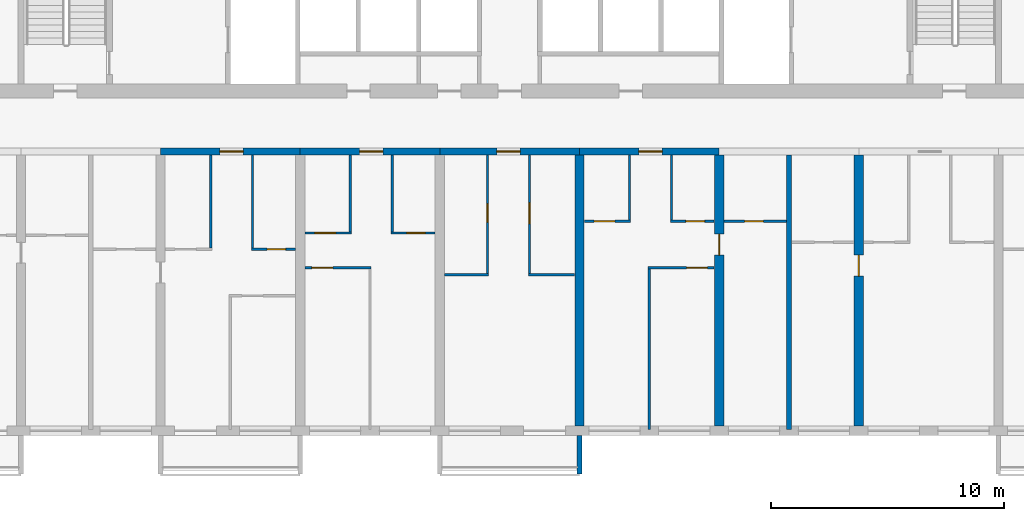
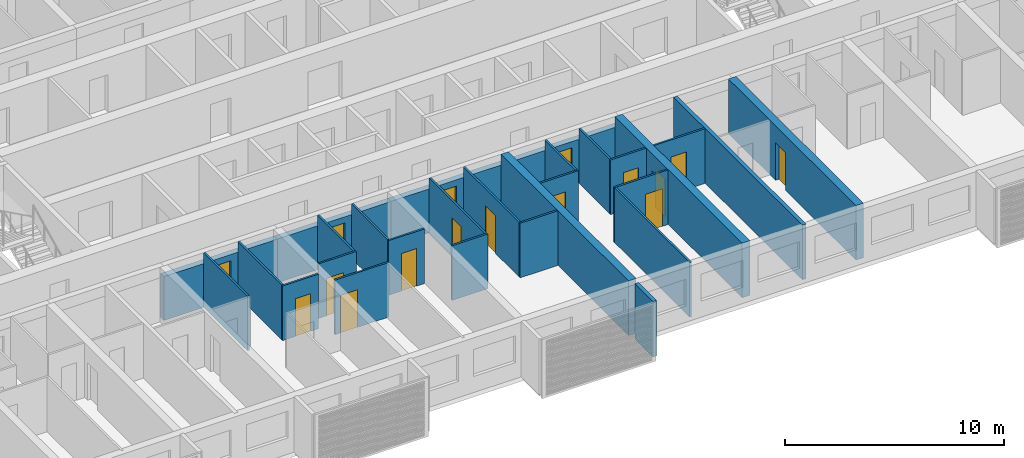
# One storey, part 5 of 39: 28 walls, 16 doors, 16 openings.
"""IFC4 building model written with IfcOpenShell, lengths in metres."""

from ifc_helpers import new_model, si_unit, direction, frame, frame_2d, origin, place, context, subcontext, project, spatial, polyline, rectangle, outline, extrude, source, transform, mapped, material, layer, layer_set, type_object, element, fill, save


model = new_model("IFC4")

# Units and contexts
model_context = context("Model", 3, precision=1e-05, world=origin(), true_north=direction((0.0, 1.0)))
body_context = subcontext(model_context, "Body", "Model", "MODEL_VIEW")
ifc_project = project(units=[si_unit("LENGTHUNIT", "METRE"), si_unit("AREAUNIT", "SQUARE_METRE"), si_unit("VOLUMEUNIT", "CUBIC_METRE"), si_unit("PLANEANGLEUNIT", "RADIAN"), si_unit("MASSUNIT", "GRAM", prefix="KILO")], contexts=[model_context])

# Site, building, storey
site_placement = place(None, origin())
site = spatial("IfcSite", under=ifc_project, at=site_placement, CompositionType="ELEMENT")
building_placement = place(site_placement, origin())
building = spatial("IfcBuilding", under=site, at=building_placement, Name="Poui Terraces", CompositionType="ELEMENT")
storey_placement = place(building_placement, frame((0.0, 0.0, 59.699951171875)))
storey = spatial("IfcBuildingStorey", under=building, at=storey_placement, Name="L16", CompositionType="ELEMENT", Elevation=59.699951171875)

# Wall, opening, door
ifc_material_1 = material(Name="Concrete 80 MPa", Category="concrete")
ifc_layer_1 = layer(ifc_material_1, 0.300048828125)
ifc_layer_set_1 = layer_set([ifc_layer_1], Name="Concrete 80 MPa")
wall_type_1 = type_object("IfcWallType", Name="CORRIDOR WALL 300 80MPa", PredefinedType="SHEAR", material=ifc_layer_set_1)
wall_1_placement = place(storey_placement, frame((36.0, 12.0, 0.0), z_axis=(0.0, 0.0, 1.0), x_axis=(1.0, 0.0, 0.0)))
wall_1 = element("IfcWall", 1, at=wall_1_placement, inside=storey, type_object=wall_type_1, Name="CORRIDOR WALL LINE B BAY 6", PredefinedType="SHEAR", context=body_context, shape_type="SweptSolid", body=[
    extrude(rectangle(XDim=6.0, YDim=0.300048828125, at=frame_2d((3.0, 0.0))), origin(), (0.0, 0.0, 1.0), 2.449951171875),
])
opening_1_placement = place(wall_1_placement, frame((2.550048828125, 0.0, 0.0)))
opening_1 = element("IfcOpeningElement", 2, at=opening_1_placement, cuts=wall_1, Name="Opening FD30S", PredefinedType="OPENING", context=body_context, shape_type="SweptSolid", body=[
    extrude(rectangle(XDim=1.0, YDim=2.10009765625, at=frame_2d((0.5, 1.050048828125))), frame((0.0, 0.16015625, 0.0), z_axis=(0.0, -1.0, 0.0), x_axis=(1.0, 0.0, 0.0)), (0.0, 0.0, 1.0), 0.320068359375),
])
ifc_material_2 = material(Name="Steel fire door", Category="steel")
door_type_1 = type_object("IfcDoorType", Name="FLAT ENTRANCE DOOR 1000 X 2100", OperationType="NOTDEFINED", PredefinedType="DOOR", material=ifc_material_2)
door_1_placement = place(opening_1_placement, frame((1.0, 0.0, 0.0), z_axis=(0.0, 0.0, 1.0), x_axis=(-1.0, 0.0, 0.0)))
door_1 = element("IfcDoor", 3, at=door_1_placement, inside=storey, type_object=door_type_1, Name="FLAT ENTRANCE DOOR 102", OperationType="SINGLE_SWING_LEFT", OverallHeight=2.10009765625, OverallWidth=1.0, PredefinedType="DOOR", context=body_context, shape_type="SweptSolid", body=[
    extrude(rectangle(XDim=1.0, YDim=2.10009765625, at=frame_2d((0.5, 1.050048828125))), frame((0.0, 0.02490234375, 0.0), z_axis=(0.0, -1.0, 0.0), x_axis=(1.0, 0.0, 0.0)), (0.0, 0.0, 1.0), 0.050048828125),
])
fill(opening_1, door_1)

wall_2_placement = place(storey_placement, frame((42.0, 12.0, 0.0), z_axis=(0.0, 0.0, 1.0), x_axis=(1.0, 0.0, 0.0)))
wall_2 = element("IfcWall", 4, at=wall_2_placement, inside=storey, type_object=wall_type_1, Name="CORRIDOR WALL LINE B BAY 7", PredefinedType="SHEAR", context=body_context, shape_type="SweptSolid", body=[
    extrude(rectangle(XDim=6.0, YDim=0.300048828125, at=frame_2d((3.0, 0.0))), origin(), (0.0, 0.0, 1.0), 2.449951171875),
])
opening_2_placement = place(wall_2_placement, frame((2.550048828125, 0.0, 0.0)))
opening_2 = element("IfcOpeningElement", 5, at=opening_2_placement, cuts=wall_2, Name="Opening FD30S", PredefinedType="OPENING", context=body_context, shape_type="SweptSolid", body=[
    extrude(rectangle(XDim=1.0, YDim=2.10009765625, at=frame_2d((0.5, 1.050048828125))), frame((0.0, 0.16015625, 0.0), z_axis=(0.0, -1.0, 0.0), x_axis=(1.0, 0.0, 0.0)), (0.0, 0.0, 1.0), 0.320068359375),
])
door_2_placement = place(opening_2_placement, frame((1.0, 0.0, 0.0), z_axis=(0.0, 0.0, 1.0), x_axis=(-1.0, 0.0, 0.0)))
door_2 = element("IfcDoor", 6, at=door_2_placement, inside=storey, type_object=door_type_1, Name="FLAT ENTRANCE DOOR 107", OperationType="SINGLE_SWING_LEFT", OverallHeight=2.10009765625, OverallWidth=1.0, PredefinedType="DOOR", context=body_context, shape_type="SweptSolid", body=[
    extrude(rectangle(XDim=1.0, YDim=2.10009765625, at=frame_2d((0.5, 1.050048828125))), frame((0.0, 0.02490234375, 0.0), z_axis=(0.0, -1.0, 0.0), x_axis=(1.0, 0.0, 0.0)), (0.0, 0.0, 1.0), 0.050048828125),
])
fill(opening_2, door_2)

wall_3_placement = place(storey_placement, frame((48.0, 12.0, 0.0), z_axis=(0.0, 0.0, 1.0), x_axis=(1.0, 0.0, 0.0)))
wall_3 = element("IfcWall", 7, at=wall_3_placement, inside=storey, type_object=wall_type_1, Name="CORRIDOR WALL LINE B BAY 8", PredefinedType="SHEAR", context=body_context, shape_type="SweptSolid", body=[
    extrude(rectangle(XDim=6.0, YDim=0.300048828125, at=frame_2d((3.0, 0.0))), origin(), (0.0, 0.0, 1.0), 2.449951171875),
])
opening_3_placement = place(wall_3_placement, frame((2.449951171875, 0.0, 0.0)))
opening_3 = element("IfcOpeningElement", 8, at=opening_3_placement, cuts=wall_3, Name="Opening FD30S", PredefinedType="OPENING", context=body_context, shape_type="SweptSolid", body=[
    extrude(rectangle(XDim=1.0, YDim=2.10009765625, at=frame_2d((0.5, 1.050048828125))), frame((0.0, 0.16015625, 0.0), z_axis=(0.0, -1.0, 0.0), x_axis=(1.0, 0.0, 0.0)), (0.0, 0.0, 1.0), 0.320068359375),
])
door_3_placement = place(opening_3_placement, frame((1.0, 0.0, 0.0), z_axis=(0.0, 0.0, 1.0), x_axis=(-1.0, 0.0, 0.0)))
door_3 = element("IfcDoor", 9, at=door_3_placement, inside=storey, type_object=door_type_1, Name="FLAT ENTRANCE DOOR 110", OperationType="SINGLE_SWING_RIGHT", OverallHeight=2.10009765625, OverallWidth=1.0, PredefinedType="DOOR", context=body_context, shape_type="SweptSolid", body=[
    extrude(rectangle(XDim=1.0, YDim=2.10009765625, at=frame_2d((0.5, 1.050048828125))), frame((0.0, 0.02490234375, 0.0), z_axis=(0.0, -1.0, 0.0), x_axis=(1.0, 0.0, 0.0)), (0.0, 0.0, 1.0), 0.050048828125),
])
fill(opening_3, door_3)

wall_4_placement = place(storey_placement, frame((54.0, 12.0, 0.0), z_axis=(0.0, 0.0, 1.0), x_axis=(1.0, 0.0, 0.0)))
wall_4 = element("IfcWall", 10, at=wall_4_placement, inside=storey, type_object=wall_type_1, Name="CORRIDOR WALL LINE B BAY 9", PredefinedType="SHEAR", context=body_context, shape_type="SweptSolid", body=[
    extrude(rectangle(XDim=6.0, YDim=0.300048828125, at=frame_2d((3.0, 0.0))), origin(), (0.0, 0.0, 1.0), 2.449951171875),
])
opening_4_placement = place(wall_4_placement, frame((2.550048828125, 0.0, 0.0)))
opening_4 = element("IfcOpeningElement", 11, at=opening_4_placement, cuts=wall_4, Name="Opening FD30S", PredefinedType="OPENING", context=body_context, shape_type="SweptSolid", body=[
    extrude(rectangle(XDim=1.0, YDim=2.10009765625, at=frame_2d((0.5, 1.050048828125))), frame((0.0, 0.16015625, 0.0), z_axis=(0.0, -1.0, 0.0), x_axis=(1.0, 0.0, 0.0)), (0.0, 0.0, 1.0), 0.320068359375),
])
door_4_placement = place(opening_4_placement, frame((1.0, 0.0, 0.0), z_axis=(0.0, 0.0, 1.0), x_axis=(-1.0, 0.0, 0.0)))
door_4 = element("IfcDoor", 12, at=door_4_placement, inside=storey, type_object=door_type_1, Name="FLAT ENTRANCE DOOR 114", OperationType="SINGLE_SWING_LEFT", OverallHeight=2.10009765625, OverallWidth=1.0, PredefinedType="DOOR", context=body_context, shape_type="SweptSolid", body=[
    extrude(rectangle(XDim=1.0, YDim=2.10009765625, at=frame_2d((0.5, 1.050048828125))), frame((0.0, 0.02490234375, 0.0), z_axis=(0.0, -1.0, 0.0), x_axis=(1.0, 0.0, 0.0)), (0.0, 0.0, 1.0), 0.050048828125),
])
fill(opening_4, door_4)

# Wall
ifc_layer_2 = layer(ifc_material_1, 0.39990234375)
ifc_layer_set_2 = layer_set([ifc_layer_2], Name="Concrete 80 MPa")
wall_type_2 = type_object("IfcWallType", Name="CROSS WALL 400 80MPa", PredefinedType="SHEAR", material=ifc_layer_set_2)
wall_5_placement = place(storey_placement, frame((54.0, 0.199951171875, 0.0), z_axis=(0.0, 0.0, 1.0), x_axis=(0.0, 1.0, 0.0)))
element("IfcWall", 13, at=wall_5_placement, inside=storey, type_object=wall_type_2, Name="CROSS WALL LINE 10 SOUTH", PredefinedType="SHEAR", context=body_context, shape_type="SweptSolid", body=[
    extrude(rectangle(XDim=11.650146484375, YDim=0.39990234375, at=frame_2d((5.8251953125, 0.0))), origin(), (0.0, 0.0, 1.0), 3.050048828125),
])

# Wall, opening, door
wall_6_placement = place(storey_placement, frame((60.0, 0.199951171875, 0.0), z_axis=(0.0, 0.0, 1.0), x_axis=(0.0, 1.0, 0.0)))
wall_6 = element("IfcWall", 14, at=wall_6_placement, inside=storey, type_object=wall_type_2, Name="CROSS WALL LINE 11 SOUTH", PredefinedType="SHEAR", context=body_context, shape_type="SweptSolid", body=[
    extrude(rectangle(XDim=11.650146484375, YDim=0.39990234375, at=frame_2d((5.8251953125, 0.0))), origin(), (0.0, 0.0, 1.0), 3.050048828125),
])
opening_5_placement = place(wall_6_placement, frame((7.35009765625, 0.0, 0.0)))
opening_5 = element("IfcOpeningElement", 15, at=opening_5_placement, cuts=wall_6, Name="Opening D90", PredefinedType="OPENING", context=body_context, shape_type="SweptSolid", body=[
    extrude(rectangle(XDim=0.89990234375, YDim=2.10009765625, at=frame_2d((0.449951171875, 1.050048828125))), frame((0.0, 0.2099609375, 0.0), z_axis=(0.0, -1.0, 0.0), x_axis=(1.0, 0.0, 0.0)), (0.0, 0.0, 1.0), 0.419921875),
])
ifc_material_3 = material(Name="Solid core timber door", Category="wood")
door_type_2 = type_object("IfcDoorType", Name="INTERNAL DOOR 900 X 2100", OperationType="NOTDEFINED", PredefinedType="DOOR", material=ifc_material_3)
door_5_placement = place(opening_5_placement, frame((0.89990234375, 0.0, 0.0), z_axis=(0.0, 0.0, 1.0), x_axis=(-1.0, 0.0, 0.0)))
door_5 = element("IfcDoor", 16, at=door_5_placement, inside=storey, type_object=door_type_2, Name="INTERNAL DOOR 117", OperationType="SINGLE_SWING_LEFT", OverallHeight=2.10009765625, OverallWidth=0.89990234375, PredefinedType="DOOR", context=body_context, shape_type="SweptSolid", body=[
    extrude(rectangle(XDim=0.89990234375, YDim=2.10009765625, at=frame_2d((0.449951171875, 1.050048828125))), frame((0.0, 0.02490234375, 0.0), z_axis=(0.0, -1.0, 0.0), x_axis=(1.0, 0.0, 0.0)), (0.0, 0.0, 1.0), 0.050048828125),
])
fill(opening_5, door_5)

wall_7_placement = place(storey_placement, frame((66.0, 0.199951171875, 0.0), z_axis=(0.0, 0.0, 1.0), x_axis=(0.0, 1.0, 0.0)))
wall_7 = element("IfcWall", 17, at=wall_7_placement, inside=storey, type_object=wall_type_2, Name="CROSS WALL LINE 12 SOUTH", PredefinedType="SHEAR", context=body_context, shape_type="SweptSolid", body=[
    extrude(rectangle(XDim=11.650146484375, YDim=0.39990234375, at=frame_2d((5.8251953125, 0.0))), origin(), (0.0, 0.0, 1.0), 3.050048828125),
])
opening_6_placement = place(wall_7_placement, frame((6.449951171875, 0.0, 0.0)))
opening_6 = element("IfcOpeningElement", 18, at=opening_6_placement, cuts=wall_7, Name="Opening D90", PredefinedType="OPENING", context=body_context, shape_type="SweptSolid", body=[
    extrude(rectangle(XDim=0.89990234375, YDim=2.10009765625, at=frame_2d((0.449951171875, 1.050048828125))), frame((0.0, 0.2099609375, 0.0), z_axis=(0.0, -1.0, 0.0), x_axis=(1.0, 0.0, 0.0)), (0.0, 0.0, 1.0), 0.419921875),
])
door_6_placement = place(opening_6_placement, origin())
door_6 = element("IfcDoor", 19, at=door_6_placement, inside=storey, type_object=door_type_2, Name="INTERNAL DOOR 119", OperationType="SINGLE_SWING_RIGHT", OverallHeight=2.10009765625, OverallWidth=0.89990234375, PredefinedType="DOOR", context=body_context, shape_type="SweptSolid", body=[
    extrude(rectangle(XDim=0.89990234375, YDim=2.10009765625, at=frame_2d((0.449951171875, 1.050048828125))), frame((0.0, 0.02490234375, 0.0), z_axis=(0.0, -1.0, 0.0), x_axis=(1.0, 0.0, 0.0)), (0.0, 0.0, 1.0), 0.050048828125),
])
fill(opening_6, door_6)

# Walls
ifc_material_4 = material(Name="Plasterboard partition")
ifc_layer_3 = layer(ifc_material_4, 0.10009765625)
ifc_layer_set_3 = layer_set([ifc_layer_3], Name="Plasterboard partition")
wall_type_3 = type_object("IfcWallType", Name="FLAT PARTITION 100", PredefinedType="PARTITIONING", material=ifc_layer_set_3)
wall_8_placement = place(storey_placement, frame((48.2099609375, 6.699951171875, 0.0), z_axis=(0.0, 0.0, 1.0), x_axis=(1.0, 0.0, 0.0)))
element("IfcWall", 20, at=wall_8_placement, inside=storey, type_object=wall_type_3, Name="FLAT PARTITION 100", PredefinedType="PARTITIONING", context=body_context, shape_type="SweptSolid", body=[
    extrude(rectangle(XDim=1.89013671875, YDim=0.10009765625, at=frame_2d((0.945068359375, 0.0))), origin(), (0.0, 0.0, 1.0), 3.050048828125),
])
wall_9_placement = place(storey_placement, frame((51.800048828125, 6.699951171875, 0.0), z_axis=(0.0, 0.0, 1.0), x_axis=(1.0, 0.0, 0.0)))
element("IfcWall", 21, at=wall_9_placement, inside=storey, type_object=wall_type_3, Name="FLAT PARTITION 100", PredefinedType="PARTITIONING", context=body_context, shape_type="SweptSolid", body=[
    extrude(rectangle(XDim=1.989990234375, YDim=0.10009765625, at=frame_2d((0.9951171875, 0.0))), origin(), (0.0, 0.0, 1.0), 3.050048828125),
])

# Wall, opening, door
wall_10_placement = place(storey_placement, frame((42.2099609375, 7.0, 0.0), z_axis=(0.0, 0.0, 1.0), x_axis=(1.0, 0.0, 0.0)))
wall_10 = element("IfcWall", 22, at=wall_10_placement, inside=storey, type_object=wall_type_3, Name="FLAT PARTITION 100", PredefinedType="PARTITIONING", context=body_context, shape_type="SweptSolid", body=[
    extrude(rectangle(XDim=2.840087890625, YDim=0.10009765625, at=frame_2d((1.419921875, 0.0))), origin(), (0.0, 0.0, 1.0), 3.050048828125),
])
opening_7_placement = place(wall_10_placement, frame((0.2900390625, 0.0, 0.0)))
opening_7 = element("IfcOpeningElement", 23, at=opening_7_placement, cuts=wall_10, Name="Opening D90", PredefinedType="OPENING", context=body_context, shape_type="SweptSolid", body=[
    extrude(rectangle(XDim=0.89990234375, YDim=2.10009765625, at=frame_2d((0.449951171875, 1.050048828125))), frame((0.0, 0.06005859375, 0.0), z_axis=(0.0, -1.0, 0.0), x_axis=(1.0, 0.0, 0.0)), (0.0, 0.0, 1.0), 0.1201171875),
])
door_7_placement = place(opening_7_placement, origin())
door_7 = element("IfcDoor", 24, at=door_7_placement, inside=storey, type_object=door_type_2, Name="INTERNAL DOOR 105", OperationType="SINGLE_SWING_RIGHT", OverallHeight=2.10009765625, OverallWidth=0.89990234375, PredefinedType="DOOR", context=body_context, shape_type="SweptSolid", body=[
    extrude(rectangle(XDim=0.89990234375, YDim=2.10009765625, at=frame_2d((0.449951171875, 1.050048828125))), frame((0.0, 0.02490234375, 0.0), z_axis=(0.0, -1.0, 0.0), x_axis=(1.0, 0.0, 0.0)), (0.0, 0.0, 1.0), 0.050048828125),
])
fill(opening_7, door_7)

wall_11_placement = place(storey_placement, frame((56.949951171875, 7.0, 0.0), z_axis=(0.0, 0.0, 1.0), x_axis=(1.0, 0.0, 0.0)))
wall_11 = element("IfcWall", 25, at=wall_11_placement, inside=storey, type_object=wall_type_3, Name="FLAT PARTITION 100", PredefinedType="PARTITIONING", context=body_context, shape_type="SweptSolid", body=[
    extrude(rectangle(XDim=2.840087890625, YDim=0.10009765625, at=frame_2d((1.419921875, 0.0))), origin(), (0.0, 0.0, 1.0), 3.050048828125),
])
opening_8_placement = place(wall_11_placement, frame((1.64990234375, 0.0, 0.0)))
opening_8 = element("IfcOpeningElement", 26, at=opening_8_placement, cuts=wall_11, Name="Opening D90", PredefinedType="OPENING", context=body_context, shape_type="SweptSolid", body=[
    extrude(rectangle(XDim=0.89990234375, YDim=2.10009765625, at=frame_2d((0.449951171875, 1.050048828125))), frame((0.0, 0.06005859375, 0.0), z_axis=(0.0, -1.0, 0.0), x_axis=(1.0, 0.0, 0.0)), (0.0, 0.0, 1.0), 0.1201171875),
])
door_8_placement = place(opening_8_placement, origin())
door_8 = element("IfcDoor", 27, at=door_8_placement, inside=storey, type_object=door_type_2, Name="INTERNAL DOOR 116", OperationType="SINGLE_SWING_LEFT", OverallHeight=2.10009765625, OverallWidth=0.89990234375, PredefinedType="DOOR", context=body_context, shape_type="SweptSolid", body=[
    extrude(rectangle(XDim=0.89990234375, YDim=2.10009765625, at=frame_2d((0.449951171875, 1.050048828125))), frame((0.0, 0.02490234375, 0.0), z_axis=(0.0, -1.0, 0.0), x_axis=(1.0, 0.0, 0.0)), (0.0, 0.0, 1.0), 0.050048828125),
])
fill(opening_8, door_8)

wall_12_placement = place(storey_placement, frame((39.89990234375, 7.800048828125, 0.0), z_axis=(0.0, 0.0, 1.0), x_axis=(1.0, 0.0, 0.0)))
wall_12 = element("IfcWall", 28, at=wall_12_placement, inside=storey, type_object=wall_type_3, Name="FLAT PARTITION 100", PredefinedType="PARTITIONING", context=body_context, shape_type="SweptSolid", body=[
    extrude(rectangle(XDim=1.89013671875, YDim=0.10009765625, at=frame_2d((0.945068359375, 0.0))), origin(), (0.0, 0.0, 1.0), 3.050048828125),
])
opening_9_placement = place(wall_12_placement, frame((0.675048828125, 0.0, 0.0)))
opening_9 = element("IfcOpeningElement", 29, at=opening_9_placement, cuts=wall_12, Name="Opening D80", PredefinedType="OPENING", context=body_context, shape_type="SweptSolid", body=[
    extrude(rectangle(XDim=0.800048828125, YDim=2.10009765625, at=frame_2d((0.39990234375, 1.050048828125))), frame((0.0, 0.06005859375, 0.0), z_axis=(0.0, -1.0, 0.0), x_axis=(1.0, 0.0, 0.0)), (0.0, 0.0, 1.0), 0.1201171875),
])
door_type_3 = type_object("IfcDoorType", Name="BATHROOM, LAUNDRY AND STORE DOOR 800 X 2100", OperationType="NOTDEFINED", PredefinedType="DOOR", material=ifc_material_3)
door_9_placement = place(opening_9_placement, origin())
door_9 = element("IfcDoor", 30, at=door_9_placement, inside=storey, type_object=door_type_3, Name="BATHROOM, LAUNDRY AND STORE DOOR 104", OperationType="SINGLE_SWING_LEFT", OverallHeight=2.10009765625, OverallWidth=0.800048828125, PredefinedType="DOOR", context=body_context, shape_type="SweptSolid", body=[
    extrude(rectangle(XDim=0.800048828125, YDim=2.10009765625, at=frame_2d((0.39990234375, 1.050048828125))), frame((0.0, 0.02490234375, 0.0), z_axis=(0.0, -1.0, 0.0), x_axis=(1.0, 0.0, 0.0)), (0.0, 0.0, 1.0), 0.050048828125),
])
fill(opening_9, door_9)

wall_13_placement = place(storey_placement, frame((42.2099609375, 8.5, 0.0), z_axis=(0.0, 0.0, 1.0), x_axis=(1.0, 0.0, 0.0)))
wall_13 = element("IfcWall", 31, at=wall_13_placement, inside=storey, type_object=wall_type_3, Name="FLAT PARTITION 100", PredefinedType="PARTITIONING", context=body_context, shape_type="SweptSolid", body=[
    extrude(rectangle(XDim=1.989990234375, YDim=0.10009765625, at=frame_2d((0.9951171875, 0.0))), origin(), (0.0, 0.0, 1.0), 3.050048828125),
])
opening_10_placement = place(wall_13_placement, frame((0.4150390625, 0.0, 0.0)))
opening_10 = element("IfcOpeningElement", 32, at=opening_10_placement, cuts=wall_13, Name="Opening D90", PredefinedType="OPENING", context=body_context, shape_type="SweptSolid", body=[
    extrude(rectangle(XDim=0.89990234375, YDim=2.10009765625, at=frame_2d((0.449951171875, 1.050048828125))), frame((0.0, 0.06005859375, 0.0), z_axis=(0.0, -1.0, 0.0), x_axis=(1.0, 0.0, 0.0)), (0.0, 0.0, 1.0), 0.1201171875),
])
door_10_placement = place(opening_10_placement, origin())
door_10 = element("IfcDoor", 33, at=door_10_placement, inside=storey, type_object=door_type_2, Name="INTERNAL DOOR 106", OperationType="SINGLE_SWING_LEFT", OverallHeight=2.10009765625, OverallWidth=0.89990234375, PredefinedType="DOOR", context=body_context, shape_type="SweptSolid", body=[
    extrude(rectangle(XDim=0.89990234375, YDim=2.10009765625, at=frame_2d((0.449951171875, 1.050048828125))), frame((0.0, 0.02490234375, 0.0), z_axis=(0.0, -1.0, 0.0), x_axis=(1.0, 0.0, 0.0)), (0.0, 0.0, 1.0), 0.050048828125),
])
fill(opening_10, door_10)

wall_14_placement = place(storey_placement, frame((45.89990234375, 8.5, 0.0), z_axis=(0.0, 0.0, 1.0), x_axis=(1.0, 0.0, 0.0)))
wall_14 = element("IfcWall", 34, at=wall_14_placement, inside=storey, type_object=wall_type_3, Name="FLAT PARTITION 100", PredefinedType="PARTITIONING", context=body_context, shape_type="SweptSolid", body=[
    extrude(rectangle(XDim=1.89013671875, YDim=0.10009765625, at=frame_2d((0.945068359375, 0.0))), origin(), (0.0, 0.0, 1.0), 3.050048828125),
])
opening_11_placement = place(wall_14_placement, frame((0.675048828125, 0.0, 0.0)))
opening_11 = element("IfcOpeningElement", 35, at=opening_11_placement, cuts=wall_14, Name="Opening D80", PredefinedType="OPENING", context=body_context, shape_type="SweptSolid", body=[
    extrude(rectangle(XDim=0.800048828125, YDim=2.10009765625, at=frame_2d((0.39990234375, 1.050048828125))), frame((0.0, 0.06005859375, 0.0), z_axis=(0.0, -1.0, 0.0), x_axis=(1.0, 0.0, 0.0)), (0.0, 0.0, 1.0), 0.1201171875),
])
door_11_placement = place(opening_11_placement, origin())
door_11 = element("IfcDoor", 36, at=door_11_placement, inside=storey, type_object=door_type_3, Name="BATHROOM, LAUNDRY AND STORE DOOR 108", OperationType="SINGLE_SWING_RIGHT", OverallHeight=2.10009765625, OverallWidth=0.800048828125, PredefinedType="DOOR", context=body_context, shape_type="SweptSolid", body=[
    extrude(rectangle(XDim=0.800048828125, YDim=2.10009765625, at=frame_2d((0.39990234375, 1.050048828125))), frame((0.0, 0.02490234375, 0.0), z_axis=(0.0, -1.0, 0.0), x_axis=(1.0, 0.0, 0.0)), (0.0, 0.0, 1.0), 0.050048828125),
])
fill(opening_11, door_11)

wall_15_placement = place(storey_placement, frame((54.2099609375, 9.0, 0.0), z_axis=(0.0, 0.0, 1.0), x_axis=(1.0, 0.0, 0.0)))
wall_15 = element("IfcWall", 37, at=wall_15_placement, inside=storey, type_object=wall_type_3, Name="FLAT PARTITION 100", PredefinedType="PARTITIONING", context=body_context, shape_type="SweptSolid", body=[
    extrude(rectangle(XDim=1.989990234375, YDim=0.10009765625, at=frame_2d((0.9951171875, 0.0))), origin(), (0.0, 0.0, 1.0), 3.050048828125),
])
opening_12_placement = place(wall_15_placement, frame((0.4150390625, 0.0, 0.0)))
opening_12 = element("IfcOpeningElement", 38, at=opening_12_placement, cuts=wall_15, Name="Opening D90", PredefinedType="OPENING", context=body_context, shape_type="SweptSolid", body=[
    extrude(rectangle(XDim=0.89990234375, YDim=2.10009765625, at=frame_2d((0.449951171875, 1.050048828125))), frame((0.0, 0.06005859375, 0.0), z_axis=(0.0, -1.0, 0.0), x_axis=(1.0, 0.0, 0.0)), (0.0, 0.0, 1.0), 0.1201171875),
])
door_12_placement = place(opening_12_placement, origin())
door_12 = element("IfcDoor", 39, at=door_12_placement, inside=storey, type_object=door_type_2, Name="INTERNAL DOOR 113", OperationType="SINGLE_SWING_LEFT", OverallHeight=2.10009765625, OverallWidth=0.89990234375, PredefinedType="DOOR", context=body_context, shape_type="SweptSolid", body=[
    extrude(rectangle(XDim=0.89990234375, YDim=2.10009765625, at=frame_2d((0.449951171875, 1.050048828125))), frame((0.0, 0.02490234375, 0.0), z_axis=(0.0, -1.0, 0.0), x_axis=(1.0, 0.0, 0.0)), (0.0, 0.0, 1.0), 0.050048828125),
])
fill(opening_12, door_12)

wall_16_placement = place(storey_placement, frame((57.89990234375, 9.0, 0.0), z_axis=(0.0, 0.0, 1.0), x_axis=(1.0, 0.0, 0.0)))
wall_16 = element("IfcWall", 40, at=wall_16_placement, inside=storey, type_object=wall_type_3, Name="FLAT PARTITION 100", PredefinedType="PARTITIONING", context=body_context, shape_type="SweptSolid", body=[
    extrude(rectangle(XDim=1.89013671875, YDim=0.10009765625, at=frame_2d((0.945068359375, 0.0))), origin(), (0.0, 0.0, 1.0), 3.050048828125),
])
opening_13_placement = place(wall_16_placement, frame((0.675048828125, 0.0, 0.0)))
opening_13 = element("IfcOpeningElement", 41, at=opening_13_placement, cuts=wall_16, Name="Opening D80", PredefinedType="OPENING", context=body_context, shape_type="SweptSolid", body=[
    extrude(rectangle(XDim=0.800048828125, YDim=2.10009765625, at=frame_2d((0.39990234375, 1.050048828125))), frame((0.0, 0.06005859375, 0.0), z_axis=(0.0, -1.0, 0.0), x_axis=(1.0, 0.0, 0.0)), (0.0, 0.0, 1.0), 0.1201171875),
])
door_13_placement = place(opening_13_placement, origin())
door_13 = element("IfcDoor", 42, at=door_13_placement, inside=storey, type_object=door_type_3, Name="BATHROOM, LAUNDRY AND STORE DOOR 115", OperationType="SINGLE_SWING_RIGHT", OverallHeight=2.10009765625, OverallWidth=0.800048828125, PredefinedType="DOOR", context=body_context, shape_type="SweptSolid", body=[
    extrude(rectangle(XDim=0.800048828125, YDim=2.10009765625, at=frame_2d((0.39990234375, 1.050048828125))), frame((0.0, 0.02490234375, 0.0), z_axis=(0.0, -1.0, 0.0), x_axis=(1.0, 0.0, 0.0)), (0.0, 0.0, 1.0), 0.050048828125),
])
fill(opening_13, door_13)

wall_17_placement = place(storey_placement, frame((60.2099609375, 9.0, 0.0), z_axis=(0.0, 0.0, 1.0), x_axis=(1.0, 0.0, 0.0)))
wall_17 = element("IfcWall", 43, at=wall_17_placement, inside=storey, type_object=wall_type_3, Name="FLAT PARTITION 100", PredefinedType="PARTITIONING", context=body_context, shape_type="SweptSolid", body=[
    extrude(rectangle(XDim=2.68994140625, YDim=0.10009765625, at=frame_2d((1.344970703125, 0.0))), origin(), (0.0, 0.0, 1.0), 3.050048828125),
])
opening_14_placement = place(wall_17_placement, frame((0.889892578125, 0.0, 0.0)))
opening_14 = element("IfcOpeningElement", 44, at=opening_14_placement, cuts=wall_17, Name="Opening D80", PredefinedType="OPENING", context=body_context, shape_type="SweptSolid", body=[
    extrude(rectangle(XDim=0.800048828125, YDim=2.10009765625, at=frame_2d((0.39990234375, 1.050048828125))), frame((0.0, 0.06005859375, 0.0), z_axis=(0.0, -1.0, 0.0), x_axis=(1.0, 0.0, 0.0)), (0.0, 0.0, 1.0), 0.1201171875),
])
door_14_placement = place(opening_14_placement, origin())
door_14 = element("IfcDoor", 45, at=door_14_placement, inside=storey, type_object=door_type_3, Name="BATHROOM, LAUNDRY AND STORE DOOR 112", OperationType="SINGLE_SWING_LEFT", OverallHeight=2.10009765625, OverallWidth=0.800048828125, PredefinedType="DOOR", context=body_context, shape_type="SweptSolid", body=[
    extrude(rectangle(XDim=0.800048828125, YDim=2.10009765625, at=frame_2d((0.39990234375, 1.050048828125))), frame((0.0, 0.02490234375, 0.0), z_axis=(0.0, -1.0, 0.0), x_axis=(1.0, 0.0, 0.0)), (0.0, 0.0, 1.0), 0.050048828125),
])
fill(opening_14, door_14)

# Walls
for number, where, z_axis, x_axis, name in (
    (46, (38.14990234375, 7.85009765625, 0.0), (0.0, 0.0, 1.0), (0.0, 1.0, 0.0), "FLAT PARTITION 100"),
    (47, (39.949951171875, 7.85009765625, 0.0), (0.0, 0.0, 1.0), (0.0, 1.0, 0.0), "FLAT PARTITION 100"),
):
    element("IfcWall", number, at=place(storey_placement, frame(where, z_axis=z_axis, x_axis=x_axis)), inside=storey, type_object=wall_type_3, Name=name, PredefinedType="PARTITIONING", context=body_context, shape_type="SweptSolid", body=[
        extrude(rectangle(XDim=3.989990234375, YDim=0.10009765625, at=frame_2d((1.9951171875, 0.0))), origin(), (0.0, 0.0, 1.0), 3.050048828125),
    ])
for number, where, z_axis, x_axis, name in (
    (48, (44.14990234375, 8.550048828125, 0.0), (0.0, 0.0, 1.0), (0.0, 1.0, 0.0), "FLAT PARTITION 100"),
    (49, (45.949951171875, 8.550048828125, 0.0), (0.0, 0.0, 1.0), (0.0, 1.0, 0.0), "FLAT PARTITION 100"),
):
    element("IfcWall", number, at=place(storey_placement, frame(where, z_axis=z_axis, x_axis=x_axis)), inside=storey, type_object=wall_type_3, Name=name, PredefinedType="PARTITIONING", context=body_context, shape_type="SweptSolid", body=[
        extrude(rectangle(XDim=3.2900390625, YDim=0.10009765625, at=frame_2d((1.64501953125, 0.0))), origin(), (0.0, 0.0, 1.0), 3.050048828125),
    ])

# Wall, opening, door
wall_18_placement = place(storey_placement, frame((50.050048828125, 6.75, 0.0), z_axis=(0.0, 0.0, 1.0), x_axis=(0.0, 1.0, 0.0)))
wall_18 = element("IfcWall", 50, at=wall_18_placement, inside=storey, type_object=wall_type_3, Name="FLAT PARTITION 100", PredefinedType="PARTITIONING", context=body_context, shape_type="SweptSolid", body=[
    extrude(rectangle(XDim=5.090087890625, YDim=0.10009765625, at=frame_2d((2.544921875, 0.0))), origin(), (0.0, 0.0, 1.0), 3.050048828125),
])
opening_15_placement = place(wall_18_placement, frame((2.199951171875, 0.0, 0.0)))
opening_15 = element("IfcOpeningElement", 51, at=opening_15_placement, cuts=wall_18, Name="Opening D80", PredefinedType="OPENING", context=body_context, shape_type="SweptSolid", body=[
    extrude(rectangle(XDim=0.800048828125, YDim=2.10009765625, at=frame_2d((0.39990234375, 1.050048828125))), frame((0.0, 0.06005859375, 0.0), z_axis=(0.0, -1.0, 0.0), x_axis=(1.0, 0.0, 0.0)), (0.0, 0.0, 1.0), 0.1201171875),
])
door_15_placement = place(opening_15_placement, origin())
door_15 = element("IfcDoor", 52, at=door_15_placement, inside=storey, type_object=door_type_3, Name="BATHROOM, LAUNDRY AND STORE DOOR 109", OperationType="SINGLE_SWING_LEFT", OverallHeight=2.10009765625, OverallWidth=0.800048828125, PredefinedType="DOOR", context=body_context, shape_type="SweptSolid", body=[
    extrude(rectangle(XDim=0.800048828125, YDim=2.10009765625, at=frame_2d((0.39990234375, 1.050048828125))), frame((0.0, 0.02490234375, 0.0), z_axis=(0.0, -1.0, 0.0), x_axis=(1.0, 0.0, 0.0)), (0.0, 0.0, 1.0), 0.050048828125),
])
fill(opening_15, door_15)

wall_19_placement = place(storey_placement, frame((51.85009765625, 6.75, 0.0), z_axis=(0.0, 0.0, 1.0), x_axis=(0.0, 1.0, 0.0)))
wall_19 = element("IfcWall", 53, at=wall_19_placement, inside=storey, type_object=wall_type_3, Name="FLAT PARTITION 100", PredefinedType="PARTITIONING", context=body_context, shape_type="SweptSolid", body=[
    extrude(rectangle(XDim=5.090087890625, YDim=0.10009765625, at=frame_2d((2.544921875, 0.0))), origin(), (0.0, 0.0, 1.0), 3.050048828125),
])
opening_16_placement = place(wall_19_placement, frame((2.14990234375, 0.0, 0.0)))
opening_16 = element("IfcOpeningElement", 54, at=opening_16_placement, cuts=wall_19, Name="Opening D90", PredefinedType="OPENING", context=body_context, shape_type="SweptSolid", body=[
    extrude(rectangle(XDim=0.89990234375, YDim=2.10009765625, at=frame_2d((0.449951171875, 1.050048828125))), frame((0.0, 0.06005859375, 0.0), z_axis=(0.0, -1.0, 0.0), x_axis=(1.0, 0.0, 0.0)), (0.0, 0.0, 1.0), 0.1201171875),
])
door_16_placement = place(opening_16_placement, frame((0.89990234375, 0.0, 0.0), z_axis=(0.0, 0.0, 1.0), x_axis=(-1.0, 0.0, 0.0)))
door_16 = element("IfcDoor", 55, at=door_16_placement, inside=storey, type_object=door_type_2, Name="INTERNAL DOOR 111", OperationType="SINGLE_SWING_LEFT", OverallHeight=2.10009765625, OverallWidth=0.89990234375, PredefinedType="DOOR", context=body_context, shape_type="SweptSolid", body=[
    extrude(rectangle(XDim=0.89990234375, YDim=2.10009765625, at=frame_2d((0.449951171875, 1.050048828125))), frame((0.0, 0.02490234375, 0.0), z_axis=(0.0, -1.0, 0.0), x_axis=(1.0, 0.0, 0.0)), (0.0, 0.0, 1.0), 0.050048828125),
])
fill(opening_16, door_16)

# Walls
wall_20_placement = place(storey_placement, frame((56.14990234375, 9.050048828125, 0.0), z_axis=(0.0, 0.0, 1.0), x_axis=(0.0, 1.0, 0.0)))
element("IfcWall", 56, at=wall_20_placement, inside=storey, type_object=wall_type_3, Name="FLAT PARTITION 100", PredefinedType="PARTITIONING", context=body_context, shape_type="SweptSolid", body=[
    extrude(rectangle(XDim=2.7900390625, YDim=0.10009765625, at=frame_2d((1.39501953125, 0.0))), origin(), (0.0, 0.0, 1.0), 3.050048828125),
])
wall_21_placement = place(storey_placement, frame((57.0, 0.06005859375, 0.0), z_axis=(0.0, 0.0, 1.0), x_axis=(0.0, 1.0, 0.0)))
element("IfcWall", 57, at=wall_21_placement, inside=storey, type_object=wall_type_3, Name="FLAT PARTITION 100", PredefinedType="PARTITIONING", context=body_context, shape_type="SweptSolid", body=[
    extrude(rectangle(XDim=6.889892578125, YDim=0.10009765625, at=frame_2d((3.44482421875, 0.0))), origin(), (0.0, 0.0, 1.0), 3.050048828125),
])
wall_22_placement = place(storey_placement, frame((57.949951171875, 9.050048828125, 0.0), z_axis=(0.0, 0.0, 1.0), x_axis=(0.0, 1.0, 0.0)))
element("IfcWall", 58, at=wall_22_placement, inside=storey, type_object=wall_type_3, Name="FLAT PARTITION 100", PredefinedType="PARTITIONING", context=body_context, shape_type="SweptSolid", body=[
    extrude(rectangle(XDim=2.7900390625, YDim=0.10009765625, at=frame_2d((1.39501953125, 0.0))), origin(), (0.0, 0.0, 1.0), 3.050048828125),
])
ifc_material_5 = material(Name="Fire-rated masonry wall", Category="masonry")
ifc_layer_4 = layer(ifc_material_5, 0.199951171875)
ifc_layer_set_4 = layer_set([ifc_layer_4], Name="Fire-rated masonry wall")
wall_type_4 = type_object("IfcWallType", Name="FLAT PARTY WALL 200", PredefinedType="PARTITIONING", material=ifc_layer_set_4)
wall_23_placement = place(storey_placement, frame((63.0, 0.06005859375, 0.0), z_axis=(0.0, 0.0, 1.0), x_axis=(0.0, 1.0, 0.0)))
element("IfcWall", 59, at=wall_23_placement, inside=storey, type_object=wall_type_4, Name="FLAT PARTY WALL 200", PredefinedType="PARTITIONING", context=body_context, shape_type="SweptSolid", body=[
    extrude(rectangle(XDim=11.780029296875, YDim=0.199951171875, at=frame_2d((5.89013671875, 0.0))), origin(), (0.0, 0.0, 1.0), 3.050048828125),
])
ifc_material_6 = material(Name="Precast concrete 40 MPa", Category="concrete")
ifc_layer_5 = layer(ifc_material_6, 0.199951171875)
ifc_layer_set_5 = layer_set([ifc_layer_5], Name="Precast concrete 40 MPa")
wall_type_5 = type_object("IfcWallType", Name="REAR FIN 200", PredefinedType="STANDARD", material=ifc_layer_set_5)
shared_shape = source(origin(), body_context, "Body", "SweptSolid", [
    extrude(outline(polyline([(0.0, 0.0), (0.2001953125, 0.0), (0.2001953125, 1.650146484375), (0.0, 1.650146484375), (0.0, 0.0)])), origin(), (0.0, 0.0, 1.0), 3.10009765625),
])
wall_24_placement = place(storey_placement, frame((53.89990234375, -1.85009765625, 0.0)))
element("IfcWall", 60, at=wall_24_placement, inside=storey, type_object=wall_type_5, Name="REAR FIN", PredefinedType="STANDARD", context=body_context, shape_type="MappedRepresentation", body=[
    mapped(shared_shape, transform((0.0, 0.0, 0.0))),
])

save(model, "model.ifc")
